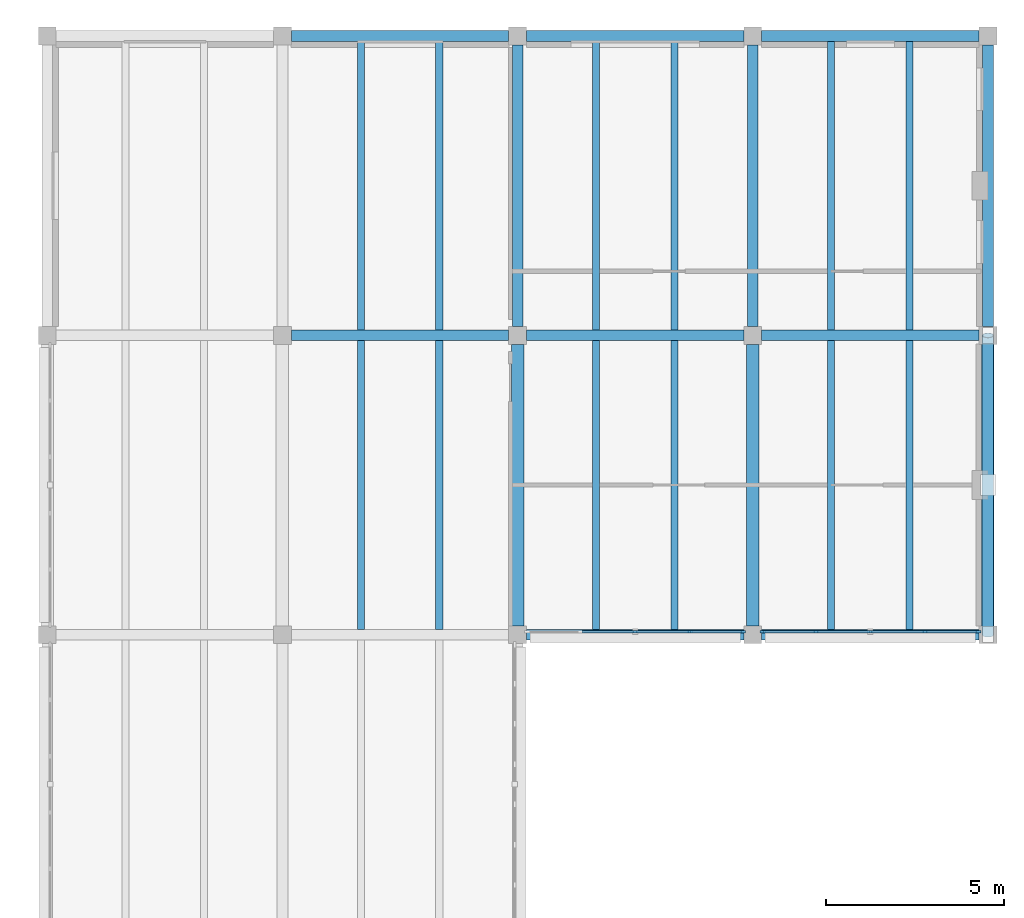
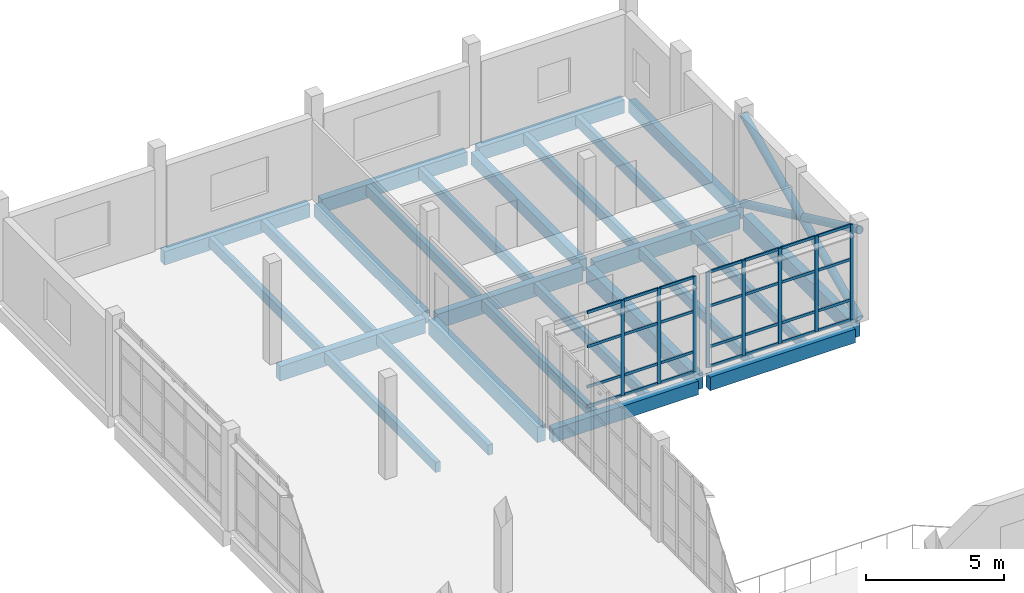
# One storey, part 31 of 76: 39 members, 26 beams, 2 elements without a shape of their own.
"""IFC4 building model written with IfcOpenShell, lengths in metres."""

from ifc_helpers import new_model, si_unit, direction, frame, origin, origin_2d, place, context, subcontext, project, spatial, rectangle, hollow_circle, extrude, material, material_profile, profile_set, type_object, element, aggregate, save


model = new_model("IFC4")

# Units and contexts
model_context = context("Model", 3, precision=1e-05, world=origin(), true_north=direction((0.0, 1.0)))
body_context = subcontext(model_context, "Body", "Model", "MODEL_VIEW")
ifc_project = project(units=[si_unit("LENGTHUNIT", "METRE"), si_unit("AREAUNIT", "SQUARE_METRE"), si_unit("VOLUMEUNIT", "CUBIC_METRE"), si_unit("PLANEANGLEUNIT", "RADIAN"), si_unit("MASSUNIT", "GRAM", prefix="KILO")], contexts=[model_context])

# Site, building, storey
site_placement = place(None, origin())
site = spatial("IfcSite", under=ifc_project, at=site_placement, CompositionType="ELEMENT")
building_placement = place(site_placement, origin())
building = spatial("IfcBuilding", under=site, at=building_placement, Name="Qaldarim Faculty of Natural and Applied Sciences", CompositionType="ELEMENT")
storey_placement = place(building_placement, frame((0.0, 0.0, 9.89990234375)))
storey = spatial("IfcBuildingStorey", under=building, at=storey_placement, Name="L02", CompositionType="ELEMENT", Elevation=9.89990234375)

# Beams
ifc_material_1 = material(Name="Concrete C40/50", Category="concrete")
ifc_material_profile_1 = material_profile(ifc_material_1, rectangle(XDim=0.300048828125, YDim=0.550048828125, at=origin_2d()), Name="RC-B300x550")
ifc_profile_set_1 = profile_set([ifc_material_profile_1], Name="Concrete C40/50")
beam_type_1 = type_object("IfcBeamType", Name="FloorBeam-RC300x550", PredefinedType="BEAM", material=ifc_profile_set_1)
for number, where, z_axis, x_axis, name in (
    (1, (165.0, 109.449951171875, -0.574951171875), (0.0, 1.0, 0.0), (-1.0, 0.0, 0.0), "Beam RC-B300x550 L01 X26/Y14-Y15"),
    (2, (171.60009765625, 109.449951171875, -0.574951171875), (0.0, 1.0, 0.0), (-1.0, 0.0, 0.0), "Beam RC-B300x550 L01 X27/Y14-Y15"),
    (3, (178.199951171875, 109.449951171875, -0.574951171875), (0.0, 1.0, 0.0), (-1.0, 0.0, 0.0), "Beam RC-B300x550 L01 X28/Y14-Y15"),
):
    element("IfcBeam", number, at=place(storey_placement, frame(where, z_axis=z_axis, x_axis=x_axis)), inside=storey, type_object=beam_type_1, Name=name, PredefinedType="BEAM", context=body_context, shape_type="SweptSolid", body=[
        extrude(rectangle(XDim=0.300048828125, YDim=0.550048828125, at=origin_2d()), origin(), (0.0, 0.0, 1.0), 7.900146484375),
    ])
ifc_material_profile_2 = material_profile(ifc_material_1, rectangle(XDim=0.199951171875, YDim=0.449951171875, at=origin_2d()), Name="RC-J200x450")
ifc_profile_set_2 = profile_set([ifc_material_profile_2], Name="Concrete C40/50")
beam_type_2 = type_object("IfcBeamType", Name="LabJoist-RC200x450", PredefinedType="JOIST", material=ifc_profile_set_2)
for number, where, z_axis, x_axis, name in (
    (4, (160.60009765625, 100.949951171875, -0.52490234375), (0.0, 1.0, 0.0), (-1.0, 0.0, 0.0), "Laboratory joist L01 bay X25Y13-1"),
    (5, (162.800048828125, 100.949951171875, -0.52490234375), (0.0, 1.0, 0.0), (-1.0, 0.0, 0.0), "Laboratory joist L01 bay X25Y13-2"),
):
    element("IfcBeam", number, at=place(storey_placement, frame(where, z_axis=z_axis, x_axis=x_axis)), inside=storey, type_object=beam_type_2, Name=name, PredefinedType="JOIST", context=body_context, shape_type="SweptSolid", body=[
        extrude(rectangle(XDim=0.199951171875, YDim=0.449951171875, at=origin_2d()), origin(), (0.0, 0.0, 1.0), 8.10009765625),
    ])
for number, where, z_axis, x_axis, name in (
    (6, (160.60009765625, 109.35009765625, -0.52490234375), (0.0, 1.0, 0.0), (-1.0, 0.0, 0.0), "Laboratory joist L01 bay X25Y14-1"),
    (7, (162.800048828125, 109.35009765625, -0.52490234375), (0.0, 1.0, 0.0), (-1.0, 0.0, 0.0), "Laboratory joist L01 bay X25Y14-2"),
):
    element("IfcBeam", number, at=place(storey_placement, frame(where, z_axis=z_axis, x_axis=x_axis)), inside=storey, type_object=beam_type_2, Name=name, PredefinedType="JOIST", context=body_context, shape_type="SweptSolid", body=[
        extrude(rectangle(XDim=0.199951171875, YDim=0.449951171875, at=origin_2d()), origin(), (0.0, 0.0, 1.0), 8.099853515625),
    ])
for number, where, z_axis, x_axis, name in (
    (8, (167.199951171875, 100.949951171875, -0.52490234375), (0.0, 1.0, 0.0), (-1.0, 0.0, 0.0), "Laboratory joist L01 bay X26Y13-1"),
    (9, (169.39990234375, 100.949951171875, -0.52490234375), (0.0, 1.0, 0.0), (-1.0, 0.0, 0.0), "Laboratory joist L01 bay X26Y13-2"),
):
    element("IfcBeam", number, at=place(storey_placement, frame(where, z_axis=z_axis, x_axis=x_axis)), inside=storey, type_object=beam_type_2, Name=name, PredefinedType="JOIST", context=body_context, shape_type="SweptSolid", body=[
        extrude(rectangle(XDim=0.199951171875, YDim=0.449951171875, at=origin_2d()), origin(), (0.0, 0.0, 1.0), 8.10009765625),
    ])
for number, where, z_axis, x_axis, name in (
    (10, (167.199951171875, 109.35009765625, -0.52490234375), (0.0, 1.0, 0.0), (-1.0, 0.0, 0.0), "Laboratory joist L01 bay X26Y14-1"),
    (11, (169.39990234375, 109.35009765625, -0.52490234375), (0.0, 1.0, 0.0), (-1.0, 0.0, 0.0), "Laboratory joist L01 bay X26Y14-2"),
):
    element("IfcBeam", number, at=place(storey_placement, frame(where, z_axis=z_axis, x_axis=x_axis)), inside=storey, type_object=beam_type_2, Name=name, PredefinedType="JOIST", context=body_context, shape_type="SweptSolid", body=[
        extrude(rectangle(XDim=0.199951171875, YDim=0.449951171875, at=origin_2d()), origin(), (0.0, 0.0, 1.0), 8.099853515625),
    ])
for number, where, z_axis, x_axis, name in (
    (12, (173.800048828125, 100.949951171875, -0.52490234375), (0.0, 1.0, 0.0), (-1.0, 0.0, 0.0), "Laboratory joist L01 bay X27Y13-1"),
    (13, (176.0, 100.949951171875, -0.52490234375), (0.0, 1.0, 0.0), (-1.0, 0.0, 0.0), "Laboratory joist L01 bay X27Y13-2"),
):
    element("IfcBeam", number, at=place(storey_placement, frame(where, z_axis=z_axis, x_axis=x_axis)), inside=storey, type_object=beam_type_2, Name=name, PredefinedType="JOIST", context=body_context, shape_type="SweptSolid", body=[
        extrude(rectangle(XDim=0.199951171875, YDim=0.449951171875, at=origin_2d()), origin(), (0.0, 0.0, 1.0), 8.10009765625),
    ])
for number, where, z_axis, x_axis, name in (
    (14, (173.800048828125, 109.35009765625, -0.52490234375), (0.0, 1.0, 0.0), (-1.0, 0.0, 0.0), "Laboratory joist L01 bay X27Y14-1"),
    (15, (176.0, 109.35009765625, -0.52490234375), (0.0, 1.0, 0.0), (-1.0, 0.0, 0.0), "Laboratory joist L01 bay X27Y14-2"),
):
    element("IfcBeam", number, at=place(storey_placement, frame(where, z_axis=z_axis, x_axis=x_axis)), inside=storey, type_object=beam_type_2, Name=name, PredefinedType="JOIST", context=body_context, shape_type="SweptSolid", body=[
        extrude(rectangle(XDim=0.199951171875, YDim=0.449951171875, at=origin_2d()), origin(), (0.0, 0.0, 1.0), 8.099853515625),
    ])

# Members
ifc_material_2 = material(Name="Structural steel S355", Category="steel")
ifc_material_profile_3 = material_profile(ifc_material_2, hollow_circle(Radius=0.161865234375, WallThickness=0.02001953125, at=origin_2d()), Name="CHS 323.9x20.0")
ifc_profile_set_3 = profile_set([ifc_material_profile_3], Name="Structural steel S355")
member_type_1 = type_object("IfcMemberType", Name="LowerWingBrace-CHS323-9x20", PredefinedType="BRACE", material=ifc_profile_set_3)
member_1_placement = place(storey_placement, frame((178.199951171875, 100.800048828125, 0.0), z_axis=(0.0, 0.905345770054, 0.424675213128), x_axis=(-1.0, 0.0, 0.0)))
element("IfcMember", 16, at=member_1_placement, inside=storey, type_object=member_type_1, Name="Commons east diagrid L02 primary brace L", PredefinedType="BRACE", context=body_context, shape_type="SweptSolid", body=[
    extrude(hollow_circle(Radius=0.161865234375, WallThickness=0.02001953125, at=origin_2d()), origin(), (0.0, 0.0, 1.0), 9.278076171875),
])
for number, where, z_axis, x_axis, name in (
    (17, (178.199951171875, 109.199951171875, 0.0), (0.0, -0.905458935959, 0.424433876231), (1.0, 0.0, 0.0), "Commons east diagrid L02 split secondary lower brace R1"),
    (18, (178.199951171875, 104.800048828125, 2.065185546875), (0.0, -0.905458935959, 0.424433876231), (1.0, 0.0, 0.0), "Commons east diagrid L02 split secondary upper brace R2"),
):
    element("IfcMember", number, at=place(storey_placement, frame(where, z_axis=z_axis, x_axis=x_axis)), inside=storey, type_object=member_type_1, Name=name, PredefinedType="BRACE", context=body_context, shape_type="SweptSolid", body=[
        extrude(hollow_circle(Radius=0.161865234375, WallThickness=0.02001953125, at=origin_2d()), origin(), (0.0, 0.0, 1.0), 4.417724609375),
    ])

# Curtain wall, members
ifc_material_3 = material(Name="Anodised aluminium AW-6063", Category="aluminium")
curtain_wall_type = type_object("IfcCurtainWallType", Name="CurtainWallSystem-M1600", PredefinedType="USERDEFINED", material=ifc_material_3)
curtain_wall_1_placement = place(storey_placement, origin())
curtain_wall_1 = element("IfcCurtainWall", 19, at=curtain_wall_1_placement, inside=storey, type_object=curtain_wall_type, Name="Curtain wall CW-L02-S-X26Y13", ObjectType="UNITISED FACADE", PredefinedType="USERDEFINED")
ifc_material_profile_4 = material_profile(ifc_material_3, rectangle(XDim=0.06005859375, YDim=0.14990234375, at=origin_2d()), Name="ALU-M60x150")
ifc_profile_set_4 = profile_set([ifc_material_profile_4], Name="Anodised aluminium AW-6063")
member_type_2 = type_object("IfcMemberType", Name="Mullion-ALU60x150", PredefinedType="MULLION", material=ifc_profile_set_4)
member_2_placement = place(storey_placement, frame((168.300048828125, 100.8798828125, 0.0), z_axis=(0.0, 0.0, 1.0), x_axis=(0.0, 1.0, 0.0)))
member_2 = element("IfcMember", 20, at=member_2_placement, type_object=member_type_2, Name="Mullion 3 of CW-L02-S-X26Y13", PredefinedType="MULLION", context=body_context, shape_type="SweptSolid", body=[
    extrude(rectangle(XDim=0.06005859375, YDim=0.14990234375, at=origin_2d()), origin(), (0.0, 0.0, 1.0), 4.239990234375),
])
member_3_placement = place(storey_placement, frame((169.827392578125, 100.8798828125, 0.0), z_axis=(0.0, 0.0, 1.0), x_axis=(0.0, 1.0, 0.0)))
member_3 = element("IfcMember", 21, at=member_3_placement, type_object=member_type_2, Name="Mullion 4 of CW-L02-S-X26Y13", PredefinedType="MULLION", context=body_context, shape_type="SweptSolid", body=[
    extrude(rectangle(XDim=0.06005859375, YDim=0.14990234375, at=origin_2d()), origin(), (0.0, 0.0, 1.0), 4.239990234375),
])
member_4_placement = place(storey_placement, frame((171.324951171875, 100.8798828125, 0.0), z_axis=(0.0, 0.0, 1.0), x_axis=(0.0, 1.0, 0.0)))
member_4 = element("IfcMember", 22, at=member_4_placement, type_object=member_type_2, Name="Mullion 5 of CW-L02-S-X26Y13", PredefinedType="MULLION", context=body_context, shape_type="SweptSolid", body=[
    extrude(rectangle(XDim=0.06005859375, YDim=0.14990234375, at=origin_2d()), origin(), (0.0, 0.0, 1.0), 4.239990234375),
])

curtain_wall_2_placement = place(storey_placement, origin())
curtain_wall_2 = element("IfcCurtainWall", 23, at=curtain_wall_2_placement, inside=storey, type_object=curtain_wall_type, Name="Curtain wall CW-L02-S-X27Y13", ObjectType="UNITISED FACADE", PredefinedType="USERDEFINED")
member_5_placement = place(storey_placement, frame((171.875, 100.8798828125, 0.0), z_axis=(0.0, 0.0, 1.0), x_axis=(0.0, 1.0, 0.0)))
member_5 = element("IfcMember", 24, at=member_5_placement, type_object=member_type_2, Name="Mullion 1 of CW-L02-S-X27Y13", PredefinedType="MULLION", context=body_context, shape_type="SweptSolid", body=[
    extrude(rectangle(XDim=0.06005859375, YDim=0.14990234375, at=origin_2d()), origin(), (0.0, 0.0, 1.0), 4.239990234375),
])
member_6_placement = place(storey_placement, frame((173.37255859375, 100.8798828125, 0.0), z_axis=(0.0, 0.0, 1.0), x_axis=(0.0, 1.0, 0.0)))
member_6 = element("IfcMember", 25, at=member_6_placement, type_object=member_type_2, Name="Mullion 2 of CW-L02-S-X27Y13", PredefinedType="MULLION", context=body_context, shape_type="SweptSolid", body=[
    extrude(rectangle(XDim=0.06005859375, YDim=0.14990234375, at=origin_2d()), origin(), (0.0, 0.0, 1.0), 4.239990234375),
])
member_7_placement = place(storey_placement, frame((174.89990234375, 100.8798828125, 0.0), z_axis=(0.0, 0.0, 1.0), x_axis=(0.0, 1.0, 0.0)))
member_7 = element("IfcMember", 26, at=member_7_placement, type_object=member_type_2, Name="Mullion 3 of CW-L02-S-X27Y13", PredefinedType="MULLION", context=body_context, shape_type="SweptSolid", body=[
    extrude(rectangle(XDim=0.06005859375, YDim=0.14990234375, at=origin_2d()), origin(), (0.0, 0.0, 1.0), 4.239990234375),
])
member_8_placement = place(storey_placement, frame((176.427490234375, 100.8798828125, 0.0), z_axis=(0.0, 0.0, 1.0), x_axis=(0.0, 1.0, 0.0)))
member_8 = element("IfcMember", 27, at=member_8_placement, type_object=member_type_2, Name="Mullion 4 of CW-L02-S-X27Y13", PredefinedType="MULLION", context=body_context, shape_type="SweptSolid", body=[
    extrude(rectangle(XDim=0.06005859375, YDim=0.14990234375, at=origin_2d()), origin(), (0.0, 0.0, 1.0), 4.239990234375),
])
member_9_placement = place(storey_placement, frame((177.925048828125, 100.8798828125, 0.0), z_axis=(0.0, 0.0, 1.0), x_axis=(0.0, 1.0, 0.0)))
member_9 = element("IfcMember", 28, at=member_9_placement, type_object=member_type_2, Name="Mullion 5 of CW-L02-S-X27Y13", PredefinedType="MULLION", context=body_context, shape_type="SweptSolid", body=[
    extrude(rectangle(XDim=0.06005859375, YDim=0.14990234375, at=origin_2d()), origin(), (0.0, 0.0, 1.0), 4.239990234375),
])

# Beams
ifc_material_profile_5 = material_profile(ifc_material_1, rectangle(XDim=0.300048828125, YDim=0.64990234375, at=origin_2d()), Name="RC-B300x650")
ifc_profile_set_5 = profile_set([ifc_material_profile_5], Name="Concrete C40/50")
beam_type_3 = type_object("IfcBeamType", Name="PrimaryBeam-RC300x650", PredefinedType="BEAM", material=ifc_profile_set_5)
for number, where, z_axis, x_axis, name in (
    (29, (158.64990234375, 109.199951171875, -0.625), (1.0, 0.0, 0.0), (0.0, 1.0, 0.0), "Beam RC-B300x650 L01 X25-X26/Y14"),
    (30, (165.25, 109.199951171875, -0.625), (1.0, 0.0, 0.0), (0.0, 1.0, 0.0), "Beam RC-B300x650 L01 X26-X27/Y14"),
):
    element("IfcBeam", number, at=place(storey_placement, frame(where, z_axis=z_axis, x_axis=x_axis)), inside=storey, type_object=beam_type_3, Name=name, PredefinedType="BEAM", context=body_context, shape_type="SweptSolid", body=[
        extrude(rectangle(XDim=0.300048828125, YDim=0.64990234375, at=origin_2d()), origin(), (0.0, 0.0, 1.0), 6.10009765625),
    ])
beam_1_placement = place(storey_placement, frame((171.85009765625, 109.199951171875, -0.625), z_axis=(1.0, 0.0, 0.0), x_axis=(0.0, 1.0, 0.0)))
element("IfcBeam", 31, at=beam_1_placement, inside=storey, type_object=beam_type_3, Name="Beam RC-B300x650 L01 X27-X28/Y14", PredefinedType="BEAM", context=body_context, shape_type="SweptSolid", body=[
    extrude(rectangle(XDim=0.300048828125, YDim=0.64990234375, at=origin_2d()), origin(), (0.0, 0.0, 1.0), 6.099853515625),
])
ifc_material_profile_6 = material_profile(ifc_material_1, rectangle(XDim=0.35009765625, YDim=0.699951171875, at=origin_2d()), Name="RC-B350x700")
ifc_profile_set_6 = profile_set([ifc_material_profile_6], Name="Concrete C40/50")
beam_type_4 = type_object("IfcBeamType", Name="PrimaryGirder-RC350x700", PredefinedType="BEAM", material=ifc_profile_set_6)
for number, where, z_axis, x_axis, name in (
    (32, (165.0, 101.050048828125, -0.64990234375), (0.0, 1.0, 0.0), (-1.0, 0.0, 0.0), "Beam RC-B350x700 L01 X26/Y13-Y14"),
    (33, (171.60009765625, 101.050048828125, -0.64990234375), (0.0, 1.0, 0.0), (-1.0, 0.0, 0.0), "Beam RC-B350x700 L01 X27/Y13-Y14"),
    (34, (178.199951171875, 101.050048828125, -0.64990234375), (0.0, 1.0, 0.0), (-1.0, 0.0, 0.0), "Beam RC-B350x700 L01 X28/Y13-Y14"),
):
    element("IfcBeam", number, at=place(storey_placement, frame(where, z_axis=z_axis, x_axis=x_axis)), inside=storey, type_object=beam_type_4, Name=name, PredefinedType="BEAM", context=body_context, shape_type="SweptSolid", body=[
        extrude(rectangle(XDim=0.35009765625, YDim=0.699951171875, at=origin_2d()), origin(), (0.0, 0.0, 1.0), 7.89990234375),
    ])
ifc_material_4 = material(Name="Precast concrete C40/50", Category="concrete")
ifc_material_profile_7 = material_profile(ifc_material_4, rectangle(XDim=0.300048828125, YDim=0.60009765625, at=origin_2d()), Name="RC-SP300x600")
ifc_profile_set_7 = profile_set([ifc_material_profile_7], Name="Precast concrete C40/50")
beam_type_5 = type_object("IfcBeamType", Name="SpandrelBeam-RC300x600", PredefinedType="SPANDREL", material=ifc_profile_set_7)
beam_2_placement = place(storey_placement, frame((165.25, 100.800048828125, -0.599853515625), z_axis=(1.0, 0.0, 0.0), x_axis=(0.0, 1.0, 0.0)))
element("IfcBeam", 35, at=beam_2_placement, inside=storey, type_object=beam_type_5, Name="Beam RC-SP300x600 L01 X26-X27/Y13", PredefinedType="SPANDREL", context=body_context, shape_type="SweptSolid", body=[
    extrude(rectangle(XDim=0.300048828125, YDim=0.60009765625, at=origin_2d()), origin(), (0.0, 0.0, 1.0), 6.10009765625),
])
beam_3_placement = place(storey_placement, frame((171.85009765625, 100.800048828125, -0.599853515625), z_axis=(1.0, 0.0, 0.0), x_axis=(0.0, 1.0, 0.0)))
element("IfcBeam", 36, at=beam_3_placement, inside=storey, type_object=beam_type_5, Name="Beam RC-SP300x600 L01 X27-X28/Y13", PredefinedType="SPANDREL", context=body_context, shape_type="SweptSolid", body=[
    extrude(rectangle(XDim=0.300048828125, YDim=0.60009765625, at=origin_2d()), origin(), (0.0, 0.0, 1.0), 6.099853515625),
])
for number, where, z_axis, x_axis, name in (
    (37, (158.64990234375, 117.60009765625, -0.599853515625), (1.0, 0.0, 0.0), (0.0, 1.0, 0.0), "Beam RC-SP300x600 L01 X25-X26/Y15"),
    (38, (165.25, 117.60009765625, -0.599853515625), (1.0, 0.0, 0.0), (0.0, 1.0, 0.0), "Beam RC-SP300x600 L01 X26-X27/Y15"),
):
    element("IfcBeam", number, at=place(storey_placement, frame(where, z_axis=z_axis, x_axis=x_axis)), inside=storey, type_object=beam_type_5, Name=name, PredefinedType="SPANDREL", context=body_context, shape_type="SweptSolid", body=[
        extrude(rectangle(XDim=0.300048828125, YDim=0.60009765625, at=origin_2d()), origin(), (0.0, 0.0, 1.0), 6.10009765625),
    ])
beam_4_placement = place(storey_placement, frame((171.85009765625, 117.60009765625, -0.599853515625), z_axis=(1.0, 0.0, 0.0), x_axis=(0.0, 1.0, 0.0)))
element("IfcBeam", 39, at=beam_4_placement, inside=storey, type_object=beam_type_5, Name="Beam RC-SP300x600 L01 X27-X28/Y15", PredefinedType="SPANDREL", context=body_context, shape_type="SweptSolid", body=[
    extrude(rectangle(XDim=0.300048828125, YDim=0.60009765625, at=origin_2d()), origin(), (0.0, 0.0, 1.0), 6.099853515625),
])

# Member
ifc_material_profile_8 = material_profile(ifc_material_3, rectangle(XDim=0.06005859375, YDim=0.1201171875, at=origin_2d()), Name="ALU-T60x120")
ifc_profile_set_8 = profile_set([ifc_material_profile_8], Name="Anodised aluminium AW-6063")
member_type_3 = type_object("IfcMemberType", Name="Transom-ALU60x120", PredefinedType="USERDEFINED", material=ifc_profile_set_8)
member_10_placement = place(storey_placement, frame((166.802490234375, 100.8798828125, 0.030029296875), z_axis=(1.0, 0.0, 0.0), x_axis=(0.0, 1.0, 0.0)))
member_10 = element("IfcMember", 40, at=member_10_placement, type_object=member_type_3, Name="Transom 2-1 of CW-L02-S-X26Y13", ObjectType="TRANSOM", PredefinedType="USERDEFINED", context=body_context, shape_type="SweptSolid", body=[
    extrude(rectangle(XDim=0.06005859375, YDim=0.1201171875, at=origin_2d()), origin(), (0.0, 0.0, 1.0), 1.467529296875),
])

member_11_placement = place(storey_placement, frame((166.802490234375, 100.8798828125, 0.900146484375), z_axis=(1.0, 0.0, 0.0), x_axis=(0.0, 1.0, 0.0)))
member_11 = element("IfcMember", 41, at=member_11_placement, type_object=member_type_3, Name="Transom 2-2 of CW-L02-S-X26Y13", ObjectType="TRANSOM", PredefinedType="USERDEFINED", context=body_context, shape_type="SweptSolid", body=[
    extrude(rectangle(XDim=0.06005859375, YDim=0.1201171875, at=origin_2d()), origin(), (0.0, 0.0, 1.0), 1.467529296875),
])

member_12_placement = place(storey_placement, frame((166.802490234375, 100.8798828125, 2.7001953125), z_axis=(1.0, 0.0, 0.0), x_axis=(0.0, 1.0, 0.0)))
member_12 = element("IfcMember", 42, at=member_12_placement, type_object=member_type_3, Name="Transom 2-3 of CW-L02-S-X26Y13", ObjectType="TRANSOM", PredefinedType="USERDEFINED", context=body_context, shape_type="SweptSolid", body=[
    extrude(rectangle(XDim=0.06005859375, YDim=0.1201171875, at=origin_2d()), origin(), (0.0, 0.0, 1.0), 1.467529296875),
])

member_13_placement = place(storey_placement, frame((166.802490234375, 100.8798828125, 4.210205078125), z_axis=(1.0, 0.0, 0.0), x_axis=(0.0, 1.0, 0.0)))
member_13 = element("IfcMember", 43, at=member_13_placement, type_object=member_type_3, Name="Transom 2-4 of CW-L02-S-X26Y13", ObjectType="TRANSOM", PredefinedType="USERDEFINED", context=body_context, shape_type="SweptSolid", body=[
    extrude(rectangle(XDim=0.06005859375, YDim=0.1201171875, at=origin_2d()), origin(), (0.0, 0.0, 1.0), 1.467529296875),
])

member_14_placement = place(storey_placement, frame((168.330078125, 100.8798828125, 0.030029296875), z_axis=(1.0, 0.0, 0.0), x_axis=(0.0, 1.0, 0.0)))
member_14 = element("IfcMember", 44, at=member_14_placement, type_object=member_type_3, Name="Transom 3-1 of CW-L02-S-X26Y13", ObjectType="TRANSOM", PredefinedType="USERDEFINED", context=body_context, shape_type="SweptSolid", body=[
    extrude(rectangle(XDim=0.06005859375, YDim=0.1201171875, at=origin_2d()), origin(), (0.0, 0.0, 1.0), 1.467529296875),
])

member_15_placement = place(storey_placement, frame((168.330078125, 100.8798828125, 0.900146484375), z_axis=(1.0, 0.0, 0.0), x_axis=(0.0, 1.0, 0.0)))
member_15 = element("IfcMember", 45, at=member_15_placement, type_object=member_type_3, Name="Transom 3-2 of CW-L02-S-X26Y13", ObjectType="TRANSOM", PredefinedType="USERDEFINED", context=body_context, shape_type="SweptSolid", body=[
    extrude(rectangle(XDim=0.06005859375, YDim=0.1201171875, at=origin_2d()), origin(), (0.0, 0.0, 1.0), 1.467529296875),
])

member_16_placement = place(storey_placement, frame((168.330078125, 100.8798828125, 2.7001953125), z_axis=(1.0, 0.0, 0.0), x_axis=(0.0, 1.0, 0.0)))
member_16 = element("IfcMember", 46, at=member_16_placement, type_object=member_type_3, Name="Transom 3-3 of CW-L02-S-X26Y13", ObjectType="TRANSOM", PredefinedType="USERDEFINED", context=body_context, shape_type="SweptSolid", body=[
    extrude(rectangle(XDim=0.06005859375, YDim=0.1201171875, at=origin_2d()), origin(), (0.0, 0.0, 1.0), 1.467529296875),
])

member_17_placement = place(storey_placement, frame((168.330078125, 100.8798828125, 4.210205078125), z_axis=(1.0, 0.0, 0.0), x_axis=(0.0, 1.0, 0.0)))
member_17 = element("IfcMember", 47, at=member_17_placement, type_object=member_type_3, Name="Transom 3-4 of CW-L02-S-X26Y13", ObjectType="TRANSOM", PredefinedType="USERDEFINED", context=body_context, shape_type="SweptSolid", body=[
    extrude(rectangle(XDim=0.06005859375, YDim=0.1201171875, at=origin_2d()), origin(), (0.0, 0.0, 1.0), 1.467529296875),
])

member_18_placement = place(storey_placement, frame((169.857421875, 100.8798828125, 0.030029296875), z_axis=(1.0, 0.0, 0.0), x_axis=(0.0, 1.0, 0.0)))
member_18 = element("IfcMember", 48, at=member_18_placement, type_object=member_type_3, Name="Transom 4-1 of CW-L02-S-X26Y13", ObjectType="TRANSOM", PredefinedType="USERDEFINED", context=body_context, shape_type="SweptSolid", body=[
    extrude(rectangle(XDim=0.06005859375, YDim=0.1201171875, at=origin_2d()), origin(), (0.0, 0.0, 1.0), 1.4375),
])

member_19_placement = place(storey_placement, frame((169.857421875, 100.8798828125, 0.900146484375), z_axis=(1.0, 0.0, 0.0), x_axis=(0.0, 1.0, 0.0)))
member_19 = element("IfcMember", 49, at=member_19_placement, type_object=member_type_3, Name="Transom 4-2 of CW-L02-S-X26Y13", ObjectType="TRANSOM", PredefinedType="USERDEFINED", context=body_context, shape_type="SweptSolid", body=[
    extrude(rectangle(XDim=0.06005859375, YDim=0.1201171875, at=origin_2d()), origin(), (0.0, 0.0, 1.0), 1.4375),
])

member_20_placement = place(storey_placement, frame((169.857421875, 100.8798828125, 2.7001953125), z_axis=(1.0, 0.0, 0.0), x_axis=(0.0, 1.0, 0.0)))
member_20 = element("IfcMember", 50, at=member_20_placement, type_object=member_type_3, Name="Transom 4-3 of CW-L02-S-X26Y13", ObjectType="TRANSOM", PredefinedType="USERDEFINED", context=body_context, shape_type="SweptSolid", body=[
    extrude(rectangle(XDim=0.06005859375, YDim=0.1201171875, at=origin_2d()), origin(), (0.0, 0.0, 1.0), 1.4375),
])

member_21_placement = place(storey_placement, frame((169.857421875, 100.8798828125, 4.210205078125), z_axis=(1.0, 0.0, 0.0), x_axis=(0.0, 1.0, 0.0)))
member_21 = element("IfcMember", 51, at=member_21_placement, type_object=member_type_3, Name="Transom 4-4 of CW-L02-S-X26Y13", ObjectType="TRANSOM", PredefinedType="USERDEFINED", context=body_context, shape_type="SweptSolid", body=[
    extrude(rectangle(XDim=0.06005859375, YDim=0.1201171875, at=origin_2d()), origin(), (0.0, 0.0, 1.0), 1.4375),
])

aggregate(curtain_wall_1, [member_2, member_3, member_4, member_10, member_11, member_12, member_13, member_14, member_15, member_16, member_17, member_18, member_19, member_20, member_21])

member_22_placement = place(storey_placement, frame((171.905029296875, 100.8798828125, 0.030029296875), z_axis=(1.0, 0.0, 0.0), x_axis=(0.0, 1.0, 0.0)))
member_22 = element("IfcMember", 52, at=member_22_placement, type_object=member_type_3, Name="Transom 1-1 of CW-L02-S-X27Y13", ObjectType="TRANSOM", PredefinedType="USERDEFINED", context=body_context, shape_type="SweptSolid", body=[
    extrude(rectangle(XDim=0.06005859375, YDim=0.1201171875, at=origin_2d()), origin(), (0.0, 0.0, 1.0), 1.4375),
])

member_23_placement = place(storey_placement, frame((171.905029296875, 100.8798828125, 0.900146484375), z_axis=(1.0, 0.0, 0.0), x_axis=(0.0, 1.0, 0.0)))
member_23 = element("IfcMember", 53, at=member_23_placement, type_object=member_type_3, Name="Transom 1-2 of CW-L02-S-X27Y13", ObjectType="TRANSOM", PredefinedType="USERDEFINED", context=body_context, shape_type="SweptSolid", body=[
    extrude(rectangle(XDim=0.06005859375, YDim=0.1201171875, at=origin_2d()), origin(), (0.0, 0.0, 1.0), 1.4375),
])

member_24_placement = place(storey_placement, frame((171.905029296875, 100.8798828125, 2.7001953125), z_axis=(1.0, 0.0, 0.0), x_axis=(0.0, 1.0, 0.0)))
member_24 = element("IfcMember", 54, at=member_24_placement, type_object=member_type_3, Name="Transom 1-3 of CW-L02-S-X27Y13", ObjectType="TRANSOM", PredefinedType="USERDEFINED", context=body_context, shape_type="SweptSolid", body=[
    extrude(rectangle(XDim=0.06005859375, YDim=0.1201171875, at=origin_2d()), origin(), (0.0, 0.0, 1.0), 1.4375),
])

member_25_placement = place(storey_placement, frame((171.905029296875, 100.8798828125, 4.210205078125), z_axis=(1.0, 0.0, 0.0), x_axis=(0.0, 1.0, 0.0)))
member_25 = element("IfcMember", 55, at=member_25_placement, type_object=member_type_3, Name="Transom 1-4 of CW-L02-S-X27Y13", ObjectType="TRANSOM", PredefinedType="USERDEFINED", context=body_context, shape_type="SweptSolid", body=[
    extrude(rectangle(XDim=0.06005859375, YDim=0.1201171875, at=origin_2d()), origin(), (0.0, 0.0, 1.0), 1.4375),
])

member_26_placement = place(storey_placement, frame((173.402587890625, 100.8798828125, 0.030029296875), z_axis=(1.0, 0.0, 0.0), x_axis=(0.0, 1.0, 0.0)))
member_26 = element("IfcMember", 56, at=member_26_placement, type_object=member_type_3, Name="Transom 2-1 of CW-L02-S-X27Y13", ObjectType="TRANSOM", PredefinedType="USERDEFINED", context=body_context, shape_type="SweptSolid", body=[
    extrude(rectangle(XDim=0.06005859375, YDim=0.1201171875, at=origin_2d()), origin(), (0.0, 0.0, 1.0), 1.467529296875),
])

member_27_placement = place(storey_placement, frame((173.402587890625, 100.8798828125, 0.900146484375), z_axis=(1.0, 0.0, 0.0), x_axis=(0.0, 1.0, 0.0)))
member_27 = element("IfcMember", 57, at=member_27_placement, type_object=member_type_3, Name="Transom 2-2 of CW-L02-S-X27Y13", ObjectType="TRANSOM", PredefinedType="USERDEFINED", context=body_context, shape_type="SweptSolid", body=[
    extrude(rectangle(XDim=0.06005859375, YDim=0.1201171875, at=origin_2d()), origin(), (0.0, 0.0, 1.0), 1.467529296875),
])

member_28_placement = place(storey_placement, frame((173.402587890625, 100.8798828125, 2.7001953125), z_axis=(1.0, 0.0, 0.0), x_axis=(0.0, 1.0, 0.0)))
member_28 = element("IfcMember", 58, at=member_28_placement, type_object=member_type_3, Name="Transom 2-3 of CW-L02-S-X27Y13", ObjectType="TRANSOM", PredefinedType="USERDEFINED", context=body_context, shape_type="SweptSolid", body=[
    extrude(rectangle(XDim=0.06005859375, YDim=0.1201171875, at=origin_2d()), origin(), (0.0, 0.0, 1.0), 1.467529296875),
])

member_29_placement = place(storey_placement, frame((173.402587890625, 100.8798828125, 4.210205078125), z_axis=(1.0, 0.0, 0.0), x_axis=(0.0, 1.0, 0.0)))
member_29 = element("IfcMember", 59, at=member_29_placement, type_object=member_type_3, Name="Transom 2-4 of CW-L02-S-X27Y13", ObjectType="TRANSOM", PredefinedType="USERDEFINED", context=body_context, shape_type="SweptSolid", body=[
    extrude(rectangle(XDim=0.06005859375, YDim=0.1201171875, at=origin_2d()), origin(), (0.0, 0.0, 1.0), 1.467529296875),
])

member_30_placement = place(storey_placement, frame((174.929931640625, 100.8798828125, 0.030029296875), z_axis=(1.0, 0.0, 0.0), x_axis=(0.0, 1.0, 0.0)))
member_30 = element("IfcMember", 60, at=member_30_placement, type_object=member_type_3, Name="Transom 3-1 of CW-L02-S-X27Y13", ObjectType="TRANSOM", PredefinedType="USERDEFINED", context=body_context, shape_type="SweptSolid", body=[
    extrude(rectangle(XDim=0.06005859375, YDim=0.1201171875, at=origin_2d()), origin(), (0.0, 0.0, 1.0), 1.467529296875),
])

member_31_placement = place(storey_placement, frame((174.929931640625, 100.8798828125, 0.900146484375), z_axis=(1.0, 0.0, 0.0), x_axis=(0.0, 1.0, 0.0)))
member_31 = element("IfcMember", 61, at=member_31_placement, type_object=member_type_3, Name="Transom 3-2 of CW-L02-S-X27Y13", ObjectType="TRANSOM", PredefinedType="USERDEFINED", context=body_context, shape_type="SweptSolid", body=[
    extrude(rectangle(XDim=0.06005859375, YDim=0.1201171875, at=origin_2d()), origin(), (0.0, 0.0, 1.0), 1.467529296875),
])

member_32_placement = place(storey_placement, frame((174.929931640625, 100.8798828125, 2.7001953125), z_axis=(1.0, 0.0, 0.0), x_axis=(0.0, 1.0, 0.0)))
member_32 = element("IfcMember", 62, at=member_32_placement, type_object=member_type_3, Name="Transom 3-3 of CW-L02-S-X27Y13", ObjectType="TRANSOM", PredefinedType="USERDEFINED", context=body_context, shape_type="SweptSolid", body=[
    extrude(rectangle(XDim=0.06005859375, YDim=0.1201171875, at=origin_2d()), origin(), (0.0, 0.0, 1.0), 1.467529296875),
])

member_33_placement = place(storey_placement, frame((174.929931640625, 100.8798828125, 4.210205078125), z_axis=(1.0, 0.0, 0.0), x_axis=(0.0, 1.0, 0.0)))
member_33 = element("IfcMember", 63, at=member_33_placement, type_object=member_type_3, Name="Transom 3-4 of CW-L02-S-X27Y13", ObjectType="TRANSOM", PredefinedType="USERDEFINED", context=body_context, shape_type="SweptSolid", body=[
    extrude(rectangle(XDim=0.06005859375, YDim=0.1201171875, at=origin_2d()), origin(), (0.0, 0.0, 1.0), 1.467529296875),
])

member_34_placement = place(storey_placement, frame((176.45751953125, 100.8798828125, 0.030029296875), z_axis=(1.0, 0.0, 0.0), x_axis=(0.0, 1.0, 0.0)))
member_34 = element("IfcMember", 64, at=member_34_placement, type_object=member_type_3, Name="Transom 4-1 of CW-L02-S-X27Y13", ObjectType="TRANSOM", PredefinedType="USERDEFINED", context=body_context, shape_type="SweptSolid", body=[
    extrude(rectangle(XDim=0.06005859375, YDim=0.1201171875, at=origin_2d()), origin(), (0.0, 0.0, 1.0), 1.4375),
])

member_35_placement = place(storey_placement, frame((176.45751953125, 100.8798828125, 0.900146484375), z_axis=(1.0, 0.0, 0.0), x_axis=(0.0, 1.0, 0.0)))
member_35 = element("IfcMember", 65, at=member_35_placement, type_object=member_type_3, Name="Transom 4-2 of CW-L02-S-X27Y13", ObjectType="TRANSOM", PredefinedType="USERDEFINED", context=body_context, shape_type="SweptSolid", body=[
    extrude(rectangle(XDim=0.06005859375, YDim=0.1201171875, at=origin_2d()), origin(), (0.0, 0.0, 1.0), 1.4375),
])

member_36_placement = place(storey_placement, frame((176.45751953125, 100.8798828125, 2.7001953125), z_axis=(1.0, 0.0, 0.0), x_axis=(0.0, 1.0, 0.0)))
member_36 = element("IfcMember", 66, at=member_36_placement, type_object=member_type_3, Name="Transom 4-3 of CW-L02-S-X27Y13", ObjectType="TRANSOM", PredefinedType="USERDEFINED", context=body_context, shape_type="SweptSolid", body=[
    extrude(rectangle(XDim=0.06005859375, YDim=0.1201171875, at=origin_2d()), origin(), (0.0, 0.0, 1.0), 1.4375),
])

member_37_placement = place(storey_placement, frame((176.45751953125, 100.8798828125, 4.210205078125), z_axis=(1.0, 0.0, 0.0), x_axis=(0.0, 1.0, 0.0)))
member_37 = element("IfcMember", 67, at=member_37_placement, type_object=member_type_3, Name="Transom 4-4 of CW-L02-S-X27Y13", ObjectType="TRANSOM", PredefinedType="USERDEFINED", context=body_context, shape_type="SweptSolid", body=[
    extrude(rectangle(XDim=0.06005859375, YDim=0.1201171875, at=origin_2d()), origin(), (0.0, 0.0, 1.0), 1.4375),
])

aggregate(curtain_wall_2, [member_5, member_6, member_7, member_8, member_9, member_22, member_23, member_24, member_25, member_26, member_27, member_28, member_29, member_30, member_31, member_32, member_33, member_34, member_35, member_36, member_37])

save(model, "model.ifc")
